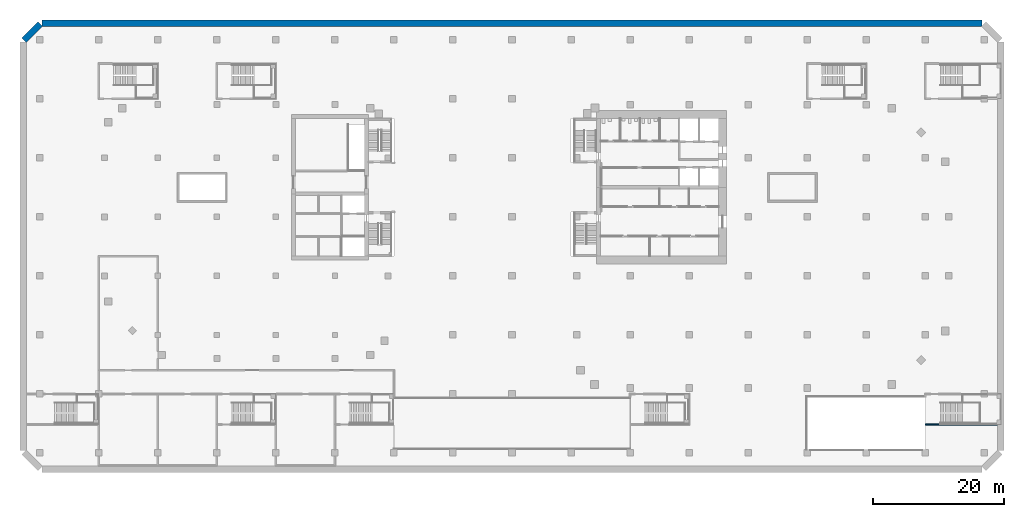
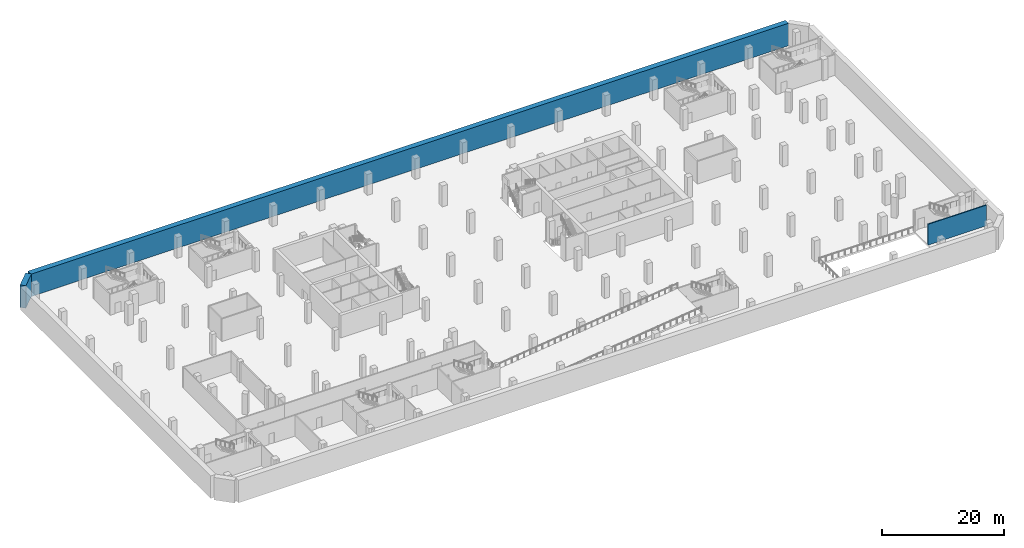
# One storey, part 9 of 16: 3 walls.
"""IFC4 building model written with IfcOpenShell, lengths in metres."""

from ifc_helpers import new_model, si_unit, direction, frame, frame_2d, origin, place, context, subcontext, project, spatial, rectangle, extrude, material, layer, layer_set, type_object, element, save


model = new_model("IFC4")

# Units and contexts
model_context = context("Model", 3, precision=1e-05, world=origin(), true_north=direction((0.0, 1.0)))
body_context = subcontext(model_context, "Body", "Model", "MODEL_VIEW")
ifc_project = project(units=[si_unit("LENGTHUNIT", "METRE"), si_unit("AREAUNIT", "SQUARE_METRE"), si_unit("VOLUMEUNIT", "CUBIC_METRE"), si_unit("PLANEANGLEUNIT", "RADIAN"), si_unit("MASSUNIT", "GRAM", prefix="KILO")], contexts=[model_context])

# Site, building, storey
site_placement = place(None, origin())
site = spatial("IfcSite", under=ifc_project, at=site_placement, CompositionType="ELEMENT")
building_placement = place(site_placement, origin())
building = spatial("IfcBuilding", under=site, at=building_placement, Name="Cinnabar Reach Civic Tower", CompositionType="ELEMENT")
storey_placement = place(building_placement, frame((0.0, 0.0, -9.5)))
storey = spatial("IfcBuildingStorey", under=building, at=storey_placement, Name="B2", CompositionType="ELEMENT", Elevation=-9.5)

# Walls
ifc_material_1 = material(Name="Concrete C70", Category="concrete")
ifc_layer_1 = layer(ifc_material_1, 1.0)
ifc_layer_set_1 = layer_set([ifc_layer_1], Name="Basement wall 1000 EI 180")
wall_type_1 = type_object("IfcWallType", Name="Basement wall 1000 EI 180", PredefinedType="SOLIDWALL", material=ifc_layer_set_1)
wall_1_placement = place(storey_placement, frame((-83.3924, 53.9004, 0.0), z_axis=(0.0, 0.0, 1.0), x_axis=(0.707106781187, 0.707106781187, 0.0)))
element("IfcWall", 1, at=wall_1_placement, inside=storey, type_object=wall_type_1, Name="Basement wall B2 3", PredefinedType="SOLIDWALL", context=body_context, shape_type="SweptSolid", body=[
    extrude(rectangle(XDim=3.5242, YDim=1.0, at=frame_2d((1.7621, 0.0))), origin(), (0.0, 0.0, 1.0), 4.5),
])
wall_2_placement = place(storey_placement, frame((-80.6408, 56.5, 0.0), z_axis=(0.0, 0.0, 1.0), x_axis=(1.0, 0.0, 0.0)))
element("IfcWall", 2, at=wall_2_placement, inside=storey, type_object=wall_type_1, Name="Basement wall B2 4", PredefinedType="SOLIDWALL", context=body_context, shape_type="SweptSolid", body=[
    extrude(rectangle(XDim=143.2816, YDim=1.0, at=frame_2d((71.6408, 0.0))), origin(), (0.0, 0.0, 1.0), 4.5),
])
ifc_material_2 = material(Name="Concrete C40", Category="concrete")
ifc_layer_2 = layer(ifc_material_2, 0.2)
ifc_layer_set_2 = layer_set([ifc_layer_2], Name="Podium stair shaft wall 200 EI 120")
wall_type_2 = type_object("IfcWallType", Name="Podium stair shaft wall 200 EI 120", PredefinedType="SOLIDWALL", material=ifc_layer_set_2)
wall_3_placement = place(storey_placement, frame((54.0, -4.65, 0.0), z_axis=(0.0, 0.0, 1.0), x_axis=(1.0, 0.0, 0.0)))
element("IfcWall", 3, at=wall_3_placement, inside=storey, type_object=wall_type_2, Name="Wall B2 16", PredefinedType="SOLIDWALL", context=body_context, shape_type="SweptSolid", body=[
    extrude(rectangle(XDim=11.0, YDim=0.2, at=frame_2d((5.5, 0.0))), origin(), (0.0, 0.0, 1.0), 4.15),
])

save(model, "model.ifc")
